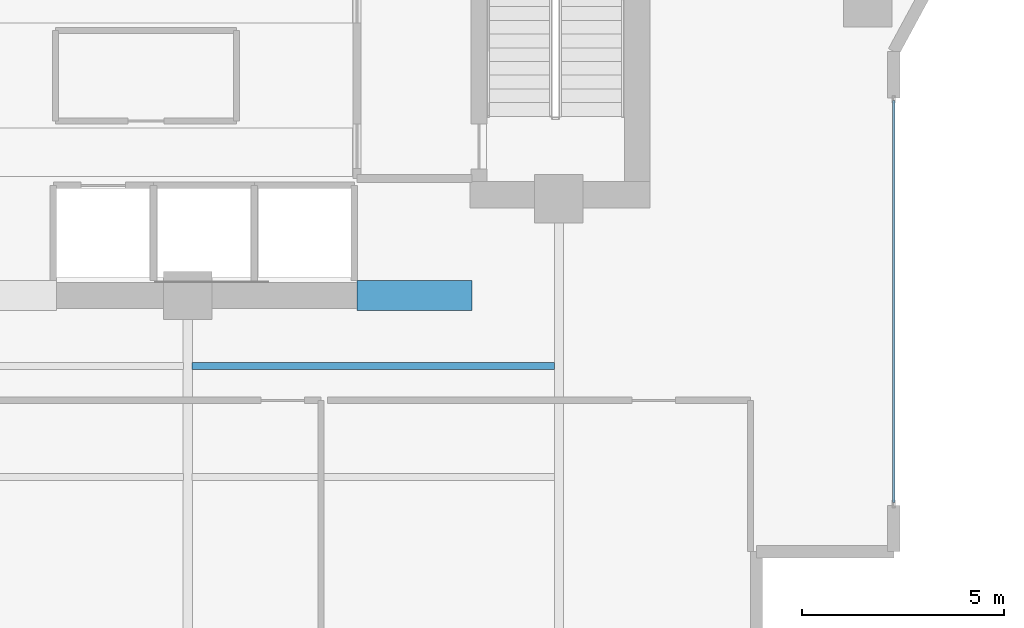
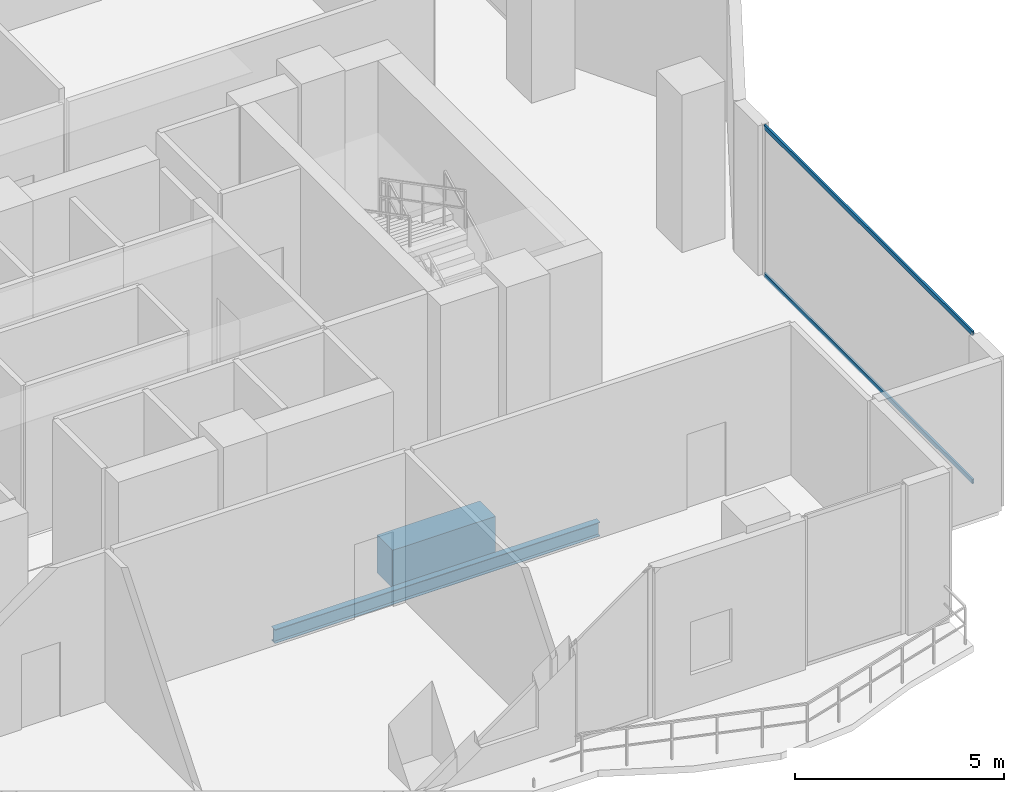
# One storey, part 11 of 31: 2 beams, 2 members, 1 element without a shape of its own.
"""IFC4 building model written with IfcOpenShell, lengths in metres."""

from ifc_helpers import new_model, si_unit, direction, frame, origin, origin_2d, place, context, subcontext, project, spatial, rectangle, hollow_rectangle, i_section, extrude, material, layer, layer_set, material_profile, profile_set, type_object, element, aggregate, save


model = new_model("IFC4")

# Units and contexts
model_context = context("Model", 3, precision=1e-05, world=origin(), true_north=direction((0.0, 1.0)))
body_context = subcontext(model_context, "Body", "Model", "MODEL_VIEW")
ifc_project = project(units=[si_unit("LENGTHUNIT", "METRE"), si_unit("AREAUNIT", "SQUARE_METRE"), si_unit("VOLUMEUNIT", "CUBIC_METRE"), si_unit("PLANEANGLEUNIT", "RADIAN"), si_unit("MASSUNIT", "GRAM", prefix="KILO")], contexts=[model_context])

# Site, building, storey
site_placement = place(None, origin())
site = spatial("IfcSite", under=ifc_project, at=site_placement, CompositionType="ELEMENT")
building_placement = place(site_placement, origin())
building = spatial("IfcBuilding", under=site, at=building_placement, Name="Zuhayl Quay Hotel", CompositionType="ELEMENT")
storey_placement = place(building_placement, frame((0.0, 0.0, 172.800048828125)))
storey = spatial("IfcBuildingStorey", under=building, at=storey_placement, Name="L43", CompositionType="ELEMENT", Elevation=172.800048828125)

# Beams
ifc_material_1 = material(Name="Concrete C60/75", Category="concrete")
ifc_material_profile_1 = material_profile(ifc_material_1, rectangle(XDim=0.75, YDim=1.10009765625, at=origin_2d()), Name="RC750X1100")
ifc_profile_set_1 = profile_set([ifc_material_profile_1], Name="Concrete C60/75")
beam_type_1 = type_object("IfcBeamType", Name="BM_CB2_RC750", PredefinedType="T_BEAM", material=ifc_profile_set_1)
beam_1_placement = place(storey_placement, frame((8.800048828125, 2.14990234375, -0.77001953125), z_axis=(1.0, 0.0, 0.0), x_axis=(0.0, 1.0, 0.0)))
element("IfcBeam", 1, at=beam_1_placement, inside=storey, type_object=beam_type_1, Name="L43 Core Coupling Beam SE", PredefinedType="T_BEAM", context=body_context, shape_type="SweptSolid", body=[
    extrude(rectangle(XDim=0.75, YDim=1.10009765625, at=origin_2d()), origin(), (0.0, 0.0, 1.0), 2.849853515625),
])
ifc_material_2 = material(Name="Steel ASTM A992 Grade 50", Category="steel")
ifc_material_profile_2 = material_profile(ifc_material_2, i_section(OverallWidth=0.177978515625, OverallDepth=0.406005859375, WebThickness=0.0078125, FlangeThickness=0.0126953125, at=origin_2d()), Name="W16X40")
ifc_profile_set_2 = profile_set([ifc_material_profile_2], Name="Steel ASTM A992 Grade 50")
beam_type_2 = type_object("IfcBeamType", Name="BM_J2B_W16X40", PredefinedType="JOIST", material=ifc_profile_set_2)
beam_2_placement = place(storey_placement, frame((4.7060546875, 0.39990234375, -0.423095703125), z_axis=(1.0, 0.0, 0.0), x_axis=(0.0, 1.0, 0.0)))
element("IfcBeam", 2, at=beam_2_placement, inside=storey, type_object=beam_type_2, Name="L43 Floor Beam FJ_L43_8_3", PredefinedType="JOIST", context=body_context, shape_type="SweptSolid", body=[
    extrude(i_section(OverallWidth=0.177978515625, OverallDepth=0.406005859375, WebThickness=0.0078125, FlangeThickness=0.0126953125, at=origin_2d()), origin(), (0.0, 0.0, 1.0), 8.988037109375),
])

# Curtain wall, members
ifc_material_3 = material(Name="Anodised Aluminium 6063-T6", Category="aluminium")
ifc_layer = layer(ifc_material_3, 0.175048828125, Name="Anodised Aluminium 6063-T6", Category="aluminium")
ifc_layer_set = layer_set([ifc_layer], Name="Anodised Aluminium 6063-T6")
curtain_wall_type = type_object("IfcCurtainWallType", Name="CW_SYS_Z3", PredefinedType="USERDEFINED", material=ifc_layer_set)
curtain_wall_placement = place(storey_placement, origin())
curtain_wall = element("IfcCurtainWall", 3, at=curtain_wall_placement, inside=storey, type_object=curtain_wall_type, Name="L43 Curtain Wall ENV_L43_E14_CW1", ObjectType="UNITISED CURTAIN WALL", PredefinedType="USERDEFINED")
ifc_material_4 = material(Name="Black-anodised aluminium 6063-T6", Category="aluminium")
ifc_material_profile_3 = material_profile(ifc_material_4, hollow_rectangle(XDim=0.054931640625, YDim=0.1298828125, WallThickness=0.0029296875, at=origin_2d()), Name="ALU130X55")
ifc_profile_set_3 = profile_set([ifc_material_profile_3], Name="Black-anodised aluminium 6063-T6")
member_type = type_object("IfcMemberType", Name="MB_CW_TRN_130", PredefinedType="USERDEFINED", material=ifc_profile_set_3)
member_1_placement = place(storey_placement, frame((22.10009765625, 6.985107421875, 0.02734375), z_axis=(0.0, -1.0, 0.0), x_axis=(1.0, 0.0, 0.0)))
member_1 = element("IfcMember", 4, at=member_1_placement, type_object=member_type, Name="CW-Z3 transom 1.1", ObjectType="TRANSOM", PredefinedType="USERDEFINED", context=body_context, shape_type="SweptSolid", body=[
    extrude(hollow_rectangle(XDim=0.054931640625, YDim=0.1298828125, WallThickness=0.0029296875, at=origin_2d()), origin(), (0.0, 0.0, 1.0), 9.97021484375),
])
member_2_placement = place(storey_placement, frame((22.10009765625, 6.985107421875, 4.3525390625), z_axis=(0.0, -1.0, 0.0), x_axis=(1.0, 0.0, 0.0)))
member_2 = element("IfcMember", 5, at=member_2_placement, type_object=member_type, Name="CW-Z3 transom 1.2", ObjectType="TRANSOM", PredefinedType="USERDEFINED", context=body_context, shape_type="SweptSolid", body=[
    extrude(hollow_rectangle(XDim=0.054931640625, YDim=0.1298828125, WallThickness=0.0029296875, at=origin_2d()), origin(), (0.0, 0.0, 1.0), 9.97021484375),
])
aggregate(curtain_wall, [member_1, member_2])

save(model, "model.ifc")
